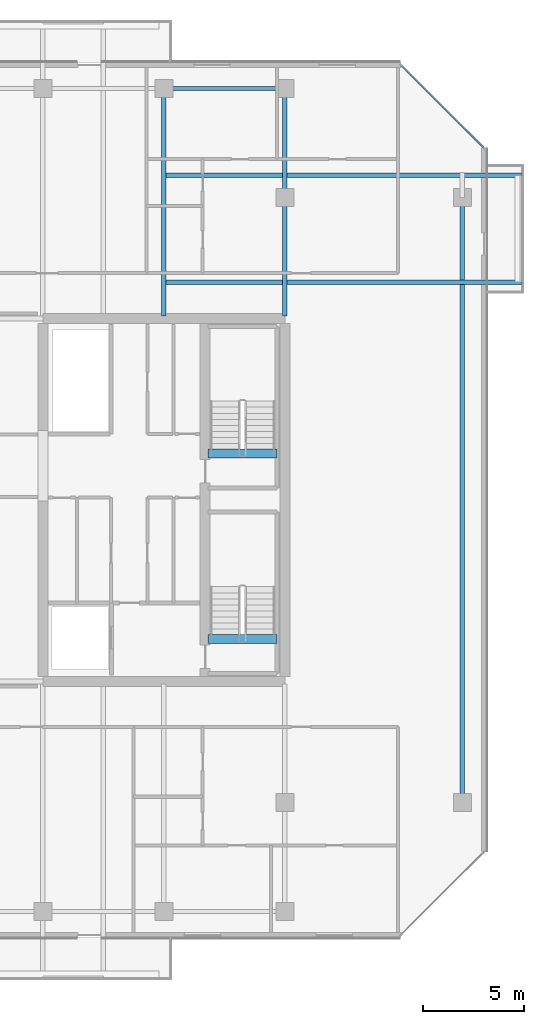
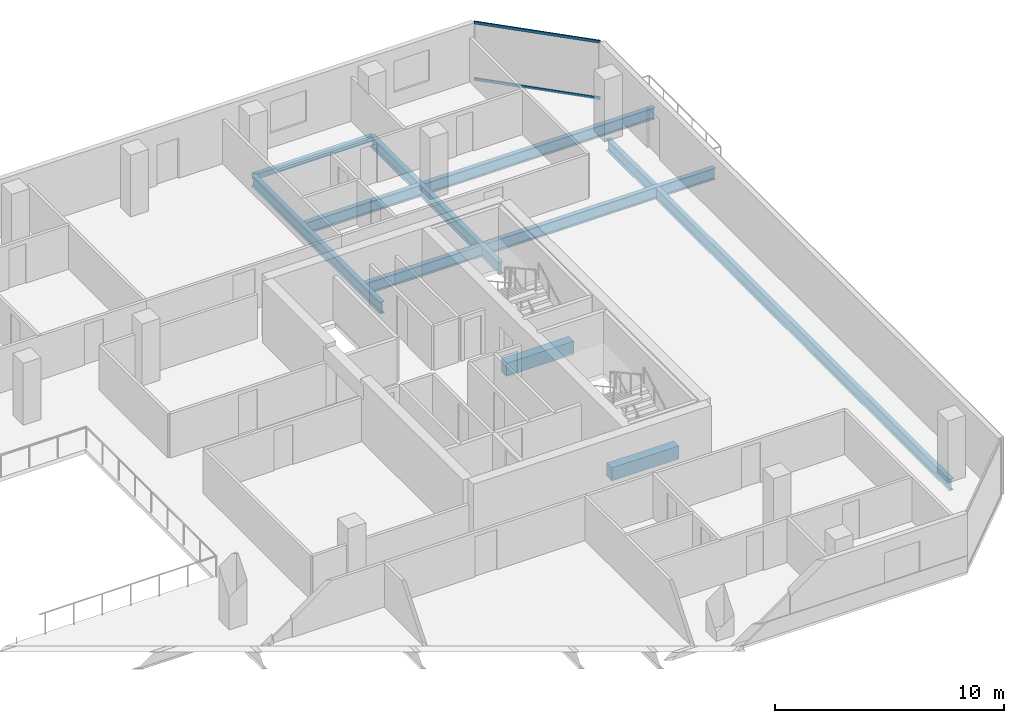
# One storey, part 16 of 29: 8 beams, 2 members, 1 element without a shape of its own.
"""IFC4 building model written with IfcOpenShell, lengths in metres."""

from ifc_helpers import new_model, si_unit, direction, frame, origin, origin_2d, place, context, subcontext, project, spatial, rectangle, hollow_rectangle, i_section, extrude, material, layer, layer_set, material_profile, profile_set, type_object, element, aggregate, save


model = new_model("IFC4")

# Units and contexts
model_context = context("Model", 3, precision=1e-05, world=origin(), true_north=direction((0.0, 1.0)))
body_context = subcontext(model_context, "Body", "Model", "MODEL_VIEW")
ifc_project = project(units=[si_unit("LENGTHUNIT", "METRE"), si_unit("AREAUNIT", "SQUARE_METRE"), si_unit("VOLUMEUNIT", "CUBIC_METRE"), si_unit("PLANEANGLEUNIT", "RADIAN"), si_unit("MASSUNIT", "GRAM", prefix="KILO")], contexts=[model_context])

# Site, building, storey
site_placement = place(None, origin())
site = spatial("IfcSite", under=ifc_project, at=site_placement, CompositionType="ELEMENT")
building_placement = place(site_placement, origin())
building = spatial("IfcBuilding", under=site, at=building_placement, Name="Tanjung Sevakor Pilgrim Tower", CompositionType="ELEMENT")
storey_placement = place(building_placement, frame((0.0, 0.0, 151.800048828125)))
storey = spatial("IfcBuildingStorey", under=building, at=storey_placement, Name="L42", CompositionType="ELEMENT", Elevation=151.800048828125)

# Beams
ifc_material_1 = material(Name="Steel S355J2", Category="steel")
ifc_material_profile_1 = material_profile(ifc_material_1, i_section(OverallWidth=0.22900390625, OverallDepth=0.6123046875, WebThickness=0.011962890625, FlangeThickness=0.01953125, FilletRadius=0.0126953125, at=origin_2d()))
ifc_profile_set_1 = profile_set([ifc_material_profile_1], Name="Steel S355J2")
beam_type_1 = type_object("IfcBeamType", Name="BM-B-G4-UB_610x229x125", PredefinedType="BEAM", material=ifc_profile_set_1)
beam_1_placement = place(storey_placement, frame((98.800048828125, 18.60009765625, -0.526123046875), z_axis=(0.0, 1.0, 0.0), x_axis=(-1.0, 0.0, 0.0)))
element("IfcBeam", 1, at=beam_1_placement, inside=storey, type_object=beam_type_1, Name="L42 Short-End Edge Girder E", PredefinedType="BEAM", context=body_context, shape_type="SweptSolid", body=[
    extrude(i_section(OverallWidth=0.22900390625, OverallDepth=0.6123046875, WebThickness=0.011962890625, FlangeThickness=0.01953125, FilletRadius=0.0126953125, at=origin_2d()), origin(), (0.0, 0.0, 1.0), 30.0),
])
for number, where, z_axis, x_axis, name in (
    (2, (84.0, 44.39990234375, -0.526123046875), (1.0, 0.0, 0.0), (0.0, 1.0, 0.0), "L42 Balcony Overhanging Beam MAIN-E1-1"),
    (3, (84.0, 49.699951171875, -0.526123046875), (1.0, 0.0, 0.0), (0.0, 1.0, 0.0), "L42 Balcony Overhanging Beam MAIN-E1-2"),
):
    element("IfcBeam", number, at=place(storey_placement, frame(where, z_axis=z_axis, x_axis=x_axis)), inside=storey, type_object=beam_type_1, Name=name, PredefinedType="BEAM", context=body_context, shape_type="SweptSolid", body=[
        extrude(i_section(OverallWidth=0.22900390625, OverallDepth=0.6123046875, WebThickness=0.011962890625, FlangeThickness=0.01953125, FilletRadius=0.0126953125, at=origin_2d()), origin(), (0.0, 0.0, 1.0), 17.72998046875),
    ])
for number, where, z_axis, x_axis, name in (
    (4, (84.0, 42.715087890625, -0.526123046875), (0.0, 1.0, 0.0), (-1.0, 0.0, 0.0), "L42 MAIN Girder 012"),
    (5, (90.0, 42.715087890625, -0.526123046875), (0.0, 1.0, 0.0), (-1.0, 0.0, 0.0), "L42 MAIN Girder 014"),
):
    element("IfcBeam", number, at=place(storey_placement, frame(where, z_axis=z_axis, x_axis=x_axis)), inside=storey, type_object=beam_type_1, Name=name, PredefinedType="BEAM", context=body_context, shape_type="SweptSolid", body=[
        extrude(i_section(OverallWidth=0.22900390625, OverallDepth=0.6123046875, WebThickness=0.011962890625, FlangeThickness=0.01953125, FilletRadius=0.0126953125, at=origin_2d()), origin(), (0.0, 0.0, 1.0), 11.284912109375),
    ])
ifc_material_2 = material(Name="Concrete C60/75", Category="concrete")
ifc_material_profile_2 = material_profile(ifc_material_2, rectangle(XDim=0.449951171875, YDim=0.699951171875, at=origin_2d()))
ifc_profile_set_2 = profile_set([ifc_material_profile_2], Name="Concrete C60/75")
beam_type_2 = type_object("IfcBeamType", Name="BM-B-LN3-RC-BM_450x700", PredefinedType="LINTEL", material=ifc_profile_set_2)
for number, where, z_axis, x_axis, name in (
    (6, (86.199951171875, 26.699951171875, -0.35009765625), (1.0, 0.0, 0.0), (0.0, 1.0, 0.0), "L42 TS-E1 Stair Threshold Beam"),
    (7, (86.199951171875, 35.89990234375, -0.35009765625), (1.0, 0.0, 0.0), (0.0, 1.0, 0.0), "L42 TS-E2 Stair Threshold Beam"),
):
    element("IfcBeam", number, at=place(storey_placement, frame(where, z_axis=z_axis, x_axis=x_axis)), inside=storey, type_object=beam_type_2, Name=name, PredefinedType="LINTEL", context=body_context, shape_type="SweptSolid", body=[
        extrude(rectangle(XDim=0.449951171875, YDim=0.699951171875, at=origin_2d()), origin(), (0.0, 0.0, 1.0), 3.400146484375),
    ])
ifc_material_3 = material(Name="Steel S355J2", Category="steel")
ifc_material_profile_3 = material_profile(ifc_material_3, hollow_rectangle(XDim=0.199951171875, YDim=0.300048828125, WallThickness=0.012451171875, at=origin_2d()))
ifc_profile_set_3 = profile_set([ifc_material_profile_3], Name="Steel S355J2")
beam_type_3 = type_object("IfcBeamType", Name="BM-B-SP3-RHS_300x200x12.5", PredefinedType="SPANDREL", material=ifc_profile_set_3)
beam_2_placement = place(storey_placement, frame((84.0, 54.0, -0.3701171875), z_axis=(1.0, 0.0, 0.0), x_axis=(0.0, 1.0, 0.0)))
element("IfcBeam", 8, at=beam_2_placement, inside=storey, type_object=beam_type_3, Name="L42 Spandrel MAIN N-18", PredefinedType="SPANDREL", context=body_context, shape_type="SweptSolid", body=[
    extrude(hollow_rectangle(XDim=0.199951171875, YDim=0.300048828125, WallThickness=0.012451171875, at=origin_2d()), origin(), (0.0, 0.0, 1.0), 6.0),
])

# Curtain wall, members
ifc_material_4 = material(Name="Aluminium 6063-T6 and Low-E Glass", Category="aluminium")
ifc_layer = layer(ifc_material_4, 0.179931640625)
ifc_layer_set = layer_set([ifc_layer], Name="CW-SYS-CHAM")
curtain_wall_type = type_object("IfcCurtainWallType", Name="CW-SYS-CHAM", PredefinedType="NOTDEFINED", material=ifc_layer_set)
curtain_wall_placement = place(storey_placement, origin())
curtain_wall = element("IfcCurtainWall", 9, at=curtain_wall_placement, inside=storey, type_object=curtain_wall_type, Name="L42 Curtain Wall CW-CHM-L42-MAIN-7", PredefinedType="NOTDEFINED")
ifc_material_5 = material(Name="Aluminium 6063-T6", Category="aluminium")
ifc_material_profile_4 = material_profile(ifc_material_5, hollow_rectangle(XDim=0.06494140625, YDim=0.139892578125, WallThickness=0.00390625, at=origin_2d()))
ifc_profile_set_4 = profile_set([ifc_material_profile_4], Name="Aluminium 6063-T6")
member_type = type_object("IfcMemberType", Name="TYPE-CWT-1", PredefinedType="USERDEFINED", material=ifc_profile_set_4)
member_1_placement = place(storey_placement, frame((99.8291015625, 51.09423828125, 0.032470703125), z_axis=(-0.707106781187, 0.707106781187, 0.0), x_axis=(-0.707106781187, -0.707106781187, 0.0)))
member_1 = element("IfcMember", 10, at=member_1_placement, type_object=member_type, Name="CW-CHM transom 1.1", ObjectType="TRANSOM", PredefinedType="USERDEFINED", context=body_context, shape_type="SweptSolid", body=[
    extrude(hollow_rectangle(XDim=0.06494140625, YDim=0.139892578125, WallThickness=0.00390625, at=origin_2d()), origin(), (0.0, 0.0, 1.0), 5.706298828125),
])
member_2_placement = place(storey_placement, frame((99.8291015625, 51.09423828125, 3.04736328125), z_axis=(-0.707106781187, 0.707106781187, 0.0), x_axis=(-0.707106781187, -0.707106781187, 0.0)))
member_2 = element("IfcMember", 11, at=member_2_placement, type_object=member_type, Name="CW-CHM transom 1.2", ObjectType="TRANSOM", PredefinedType="USERDEFINED", context=body_context, shape_type="SweptSolid", body=[
    extrude(hollow_rectangle(XDim=0.06494140625, YDim=0.139892578125, WallThickness=0.00390625, at=origin_2d()), origin(), (0.0, 0.0, 1.0), 5.706298828125),
])
aggregate(curtain_wall, [member_1, member_2])

save(model, "model.ifc")
